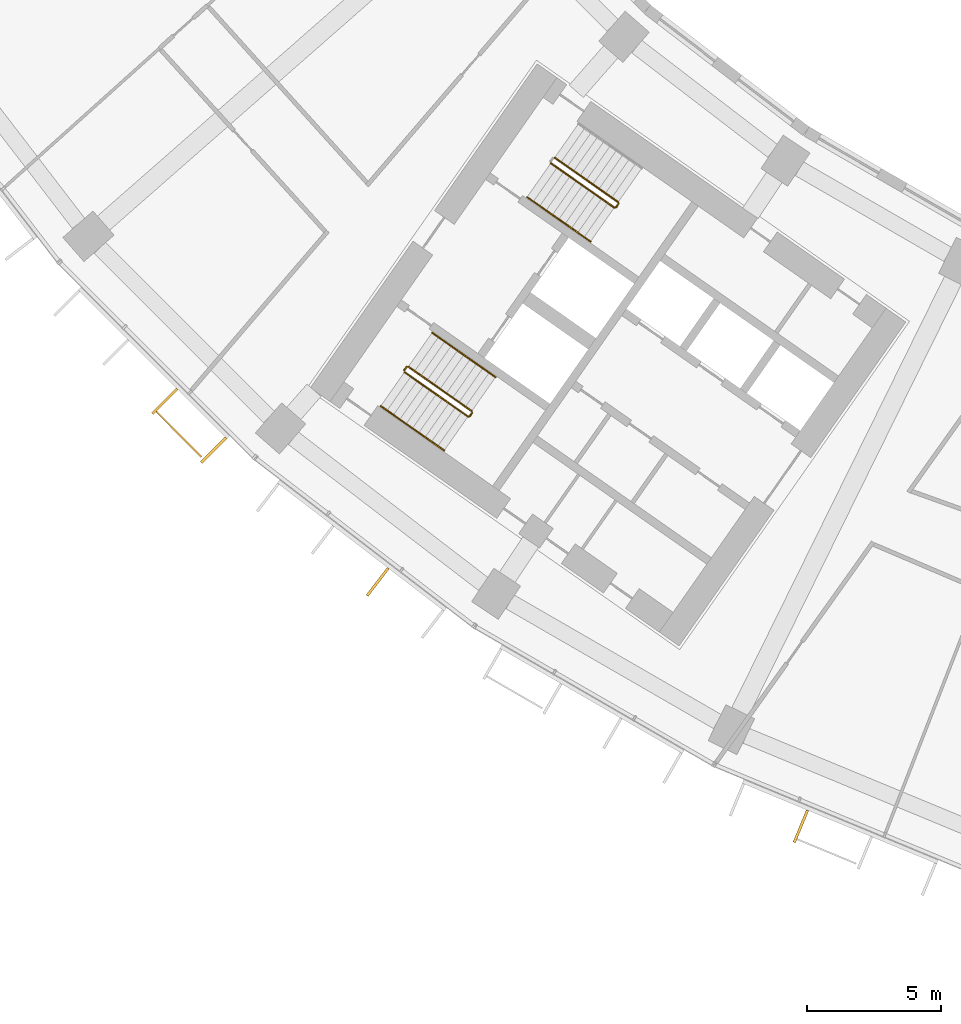
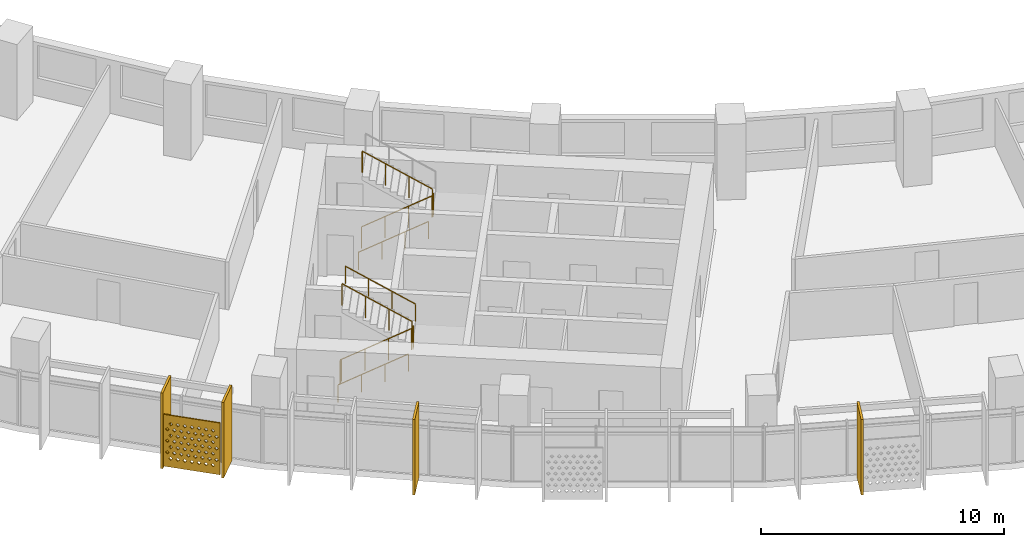
# One storey, part 23 of 28: 8 railings, 5 shading devices.
"""IFC4 building model written with IfcOpenShell, lengths in metres."""

from ifc_helpers import new_model, si_unit, direction, frame, origin, origin_2d, place, context, subcontext, project, spatial, polyline, rectangle, circle, outline, extrude, material, material_profile, profile_set, type_object, element, save


model = new_model("IFC4")

# Units and contexts
model_context = context("Model", 3, precision=1e-05, world=origin(), true_north=direction((0.0, 1.0)))
body_context = subcontext(model_context, "Body", "Model", "MODEL_VIEW")
ifc_project = project(units=[si_unit("LENGTHUNIT", "METRE"), si_unit("AREAUNIT", "SQUARE_METRE"), si_unit("VOLUMEUNIT", "CUBIC_METRE"), si_unit("PLANEANGLEUNIT", "RADIAN"), si_unit("MASSUNIT", "GRAM", prefix="KILO")], contexts=[model_context])

# Site, building, storey
site_placement = place(None, origin())
site = spatial("IfcSite", under=ifc_project, at=site_placement, CompositionType="ELEMENT")
building_placement = place(site_placement, origin())
building = spatial("IfcBuilding", under=site, at=building_placement, Name="Qamariyya Broadcast Tower", CompositionType="ELEMENT")
storey_placement = place(building_placement, frame((0.0, 0.0, 140.5)))
storey = spatial("IfcBuildingStorey", under=building, at=storey_placement, Name="L32", CompositionType="ELEMENT", Elevation=140.5)

# Shading device
ifc_material_1 = material(Name="Perforated glazed terracotta", Category="masonry")
ifc_material_profile_1 = material_profile(ifc_material_1, outline(polyline([(-1.199951171875, -1.300048828125), (1.199951171875, -1.300048828125), (1.199951171875, 1.300048828125), (-1.199951171875, 1.300048828125), (-1.199951171875, -1.300048828125)]), holes=[polyline([(-0.81494140625, -0.86669921875), (-0.89990234375, -0.78173828125), (-0.985107421875, -0.86669921875), (-0.89990234375, -0.95166015625), (-0.81494140625, -0.86669921875)]), polyline([(-0.514892578125, -0.86669921875), (-0.60009765625, -0.78173828125), (-0.68505859375, -0.86669921875), (-0.60009765625, -0.95166015625), (-0.514892578125, -0.86669921875)]), polyline([(-0.215087890625, -0.86669921875), (-0.300048828125, -0.78173828125), (-0.385009765625, -0.86669921875), (-0.300048828125, -0.95166015625), (-0.215087890625, -0.86669921875)]), polyline([(0.0849609375, -0.86669921875), (0.0, -0.78173828125), (-0.0849609375, -0.86669921875), (0.0, -0.95166015625), (0.0849609375, -0.86669921875)]), polyline([(0.385009765625, -0.86669921875), (0.300048828125, -0.78173828125), (0.215087890625, -0.86669921875), (0.300048828125, -0.95166015625), (0.385009765625, -0.86669921875)]), polyline([(0.68505859375, -0.86669921875), (0.60009765625, -0.78173828125), (0.514892578125, -0.86669921875), (0.60009765625, -0.95166015625), (0.68505859375, -0.86669921875)]), polyline([(0.985107421875, -0.86669921875), (0.89990234375, -0.78173828125), (0.81494140625, -0.86669921875), (0.89990234375, -0.95166015625), (0.985107421875, -0.86669921875)]), polyline([(-0.965087890625, -0.577880859375), (-1.050048828125, -0.49267578125), (-1.135009765625, -0.577880859375), (-1.050048828125, -0.662841796875), (-0.965087890625, -0.577880859375)]), polyline([(-0.6650390625, -0.577880859375), (-0.75, -0.49267578125), (-0.8349609375, -0.577880859375), (-0.75, -0.662841796875), (-0.6650390625, -0.577880859375)]), polyline([(-0.364990234375, -0.577880859375), (-0.449951171875, -0.49267578125), (-0.534912109375, -0.577880859375), (-0.449951171875, -0.662841796875), (-0.364990234375, -0.577880859375)]), polyline([(-0.06494140625, -0.577880859375), (-0.14990234375, -0.49267578125), (-0.235107421875, -0.577880859375), (-0.14990234375, -0.662841796875), (-0.06494140625, -0.577880859375)]), polyline([(0.235107421875, -0.577880859375), (0.14990234375, -0.49267578125), (0.06494140625, -0.577880859375), (0.14990234375, -0.662841796875), (0.235107421875, -0.577880859375)]), polyline([(0.534912109375, -0.577880859375), (0.449951171875, -0.49267578125), (0.364990234375, -0.577880859375), (0.449951171875, -0.662841796875), (0.534912109375, -0.577880859375)]), polyline([(0.8349609375, -0.577880859375), (0.75, -0.49267578125), (0.6650390625, -0.577880859375), (0.75, -0.662841796875), (0.8349609375, -0.577880859375)]), polyline([(1.135009765625, -0.577880859375), (1.050048828125, -0.49267578125), (0.965087890625, -0.577880859375), (1.050048828125, -0.662841796875), (1.135009765625, -0.577880859375)]), polyline([(-0.81494140625, -0.288818359375), (-0.89990234375, -0.203857421875), (-0.985107421875, -0.288818359375), (-0.89990234375, -0.373779296875), (-0.81494140625, -0.288818359375)]), polyline([(-0.514892578125, -0.288818359375), (-0.60009765625, -0.203857421875), (-0.68505859375, -0.288818359375), (-0.60009765625, -0.373779296875), (-0.514892578125, -0.288818359375)]), polyline([(-0.215087890625, -0.288818359375), (-0.300048828125, -0.203857421875), (-0.385009765625, -0.288818359375), (-0.300048828125, -0.373779296875), (-0.215087890625, -0.288818359375)]), polyline([(0.0849609375, -0.288818359375), (0.0, -0.203857421875), (-0.0849609375, -0.288818359375), (0.0, -0.373779296875), (0.0849609375, -0.288818359375)]), polyline([(0.385009765625, -0.288818359375), (0.300048828125, -0.203857421875), (0.215087890625, -0.288818359375), (0.300048828125, -0.373779296875), (0.385009765625, -0.288818359375)]), polyline([(0.68505859375, -0.288818359375), (0.60009765625, -0.203857421875), (0.514892578125, -0.288818359375), (0.60009765625, -0.373779296875), (0.68505859375, -0.288818359375)]), polyline([(0.985107421875, -0.288818359375), (0.89990234375, -0.203857421875), (0.81494140625, -0.288818359375), (0.89990234375, -0.373779296875), (0.985107421875, -0.288818359375)]), polyline([(-0.965087890625, 0.0), (-1.050048828125, 0.0849609375), (-1.135009765625, 0.0), (-1.050048828125, -0.0849609375), (-0.965087890625, 0.0)]), polyline([(-0.6650390625, 0.0), (-0.75, 0.0849609375), (-0.8349609375, 0.0), (-0.75, -0.0849609375), (-0.6650390625, 0.0)]), polyline([(-0.364990234375, 0.0), (-0.449951171875, 0.0849609375), (-0.534912109375, 0.0), (-0.449951171875, -0.0849609375), (-0.364990234375, 0.0)]), polyline([(-0.06494140625, 0.0), (-0.14990234375, 0.0849609375), (-0.235107421875, 0.0), (-0.14990234375, -0.0849609375), (-0.06494140625, 0.0)]), polyline([(0.235107421875, 0.0), (0.14990234375, 0.0849609375), (0.06494140625, 0.0), (0.14990234375, -0.0849609375), (0.235107421875, 0.0)]), polyline([(0.534912109375, 0.0), (0.449951171875, 0.0849609375), (0.364990234375, 0.0), (0.449951171875, -0.0849609375), (0.534912109375, 0.0)]), polyline([(0.8349609375, 0.0), (0.75, 0.0849609375), (0.6650390625, 0.0), (0.75, -0.0849609375), (0.8349609375, 0.0)]), polyline([(1.135009765625, 0.0), (1.050048828125, 0.0849609375), (0.965087890625, 0.0), (1.050048828125, -0.0849609375), (1.135009765625, 0.0)]), polyline([(-0.81494140625, 0.288818359375), (-0.89990234375, 0.373779296875), (-0.985107421875, 0.288818359375), (-0.89990234375, 0.203857421875), (-0.81494140625, 0.288818359375)]), polyline([(-0.514892578125, 0.288818359375), (-0.60009765625, 0.373779296875), (-0.68505859375, 0.288818359375), (-0.60009765625, 0.203857421875), (-0.514892578125, 0.288818359375)]), polyline([(-0.215087890625, 0.288818359375), (-0.300048828125, 0.373779296875), (-0.385009765625, 0.288818359375), (-0.300048828125, 0.203857421875), (-0.215087890625, 0.288818359375)]), polyline([(0.0849609375, 0.288818359375), (0.0, 0.373779296875), (-0.0849609375, 0.288818359375), (0.0, 0.203857421875), (0.0849609375, 0.288818359375)]), polyline([(0.385009765625, 0.288818359375), (0.300048828125, 0.373779296875), (0.215087890625, 0.288818359375), (0.300048828125, 0.203857421875), (0.385009765625, 0.288818359375)]), polyline([(0.68505859375, 0.288818359375), (0.60009765625, 0.373779296875), (0.514892578125, 0.288818359375), (0.60009765625, 0.203857421875), (0.68505859375, 0.288818359375)]), polyline([(0.985107421875, 0.288818359375), (0.89990234375, 0.373779296875), (0.81494140625, 0.288818359375), (0.89990234375, 0.203857421875), (0.985107421875, 0.288818359375)]), polyline([(-0.965087890625, 0.577880859375), (-1.050048828125, 0.662841796875), (-1.135009765625, 0.577880859375), (-1.050048828125, 0.49267578125), (-0.965087890625, 0.577880859375)]), polyline([(-0.6650390625, 0.577880859375), (-0.75, 0.662841796875), (-0.8349609375, 0.577880859375), (-0.75, 0.49267578125), (-0.6650390625, 0.577880859375)]), polyline([(-0.364990234375, 0.577880859375), (-0.449951171875, 0.662841796875), (-0.534912109375, 0.577880859375), (-0.449951171875, 0.49267578125), (-0.364990234375, 0.577880859375)]), polyline([(-0.06494140625, 0.577880859375), (-0.14990234375, 0.662841796875), (-0.235107421875, 0.577880859375), (-0.14990234375, 0.49267578125), (-0.06494140625, 0.577880859375)]), polyline([(0.235107421875, 0.577880859375), (0.14990234375, 0.662841796875), (0.06494140625, 0.577880859375), (0.14990234375, 0.49267578125), (0.235107421875, 0.577880859375)]), polyline([(0.534912109375, 0.577880859375), (0.449951171875, 0.662841796875), (0.364990234375, 0.577880859375), (0.449951171875, 0.49267578125), (0.534912109375, 0.577880859375)]), polyline([(0.8349609375, 0.577880859375), (0.75, 0.662841796875), (0.6650390625, 0.577880859375), (0.75, 0.49267578125), (0.8349609375, 0.577880859375)]), polyline([(1.135009765625, 0.577880859375), (1.050048828125, 0.662841796875), (0.965087890625, 0.577880859375), (1.050048828125, 0.49267578125), (1.135009765625, 0.577880859375)]), polyline([(-0.81494140625, 0.86669921875), (-0.89990234375, 0.95166015625), (-0.985107421875, 0.86669921875), (-0.89990234375, 0.78173828125), (-0.81494140625, 0.86669921875)]), polyline([(-0.514892578125, 0.86669921875), (-0.60009765625, 0.95166015625), (-0.68505859375, 0.86669921875), (-0.60009765625, 0.78173828125), (-0.514892578125, 0.86669921875)]), polyline([(-0.215087890625, 0.86669921875), (-0.300048828125, 0.95166015625), (-0.385009765625, 0.86669921875), (-0.300048828125, 0.78173828125), (-0.215087890625, 0.86669921875)]), polyline([(0.0849609375, 0.86669921875), (0.0, 0.95166015625), (-0.0849609375, 0.86669921875), (0.0, 0.78173828125), (0.0849609375, 0.86669921875)]), polyline([(0.385009765625, 0.86669921875), (0.300048828125, 0.95166015625), (0.215087890625, 0.86669921875), (0.300048828125, 0.78173828125), (0.385009765625, 0.86669921875)]), polyline([(0.68505859375, 0.86669921875), (0.60009765625, 0.95166015625), (0.514892578125, 0.86669921875), (0.60009765625, 0.78173828125), (0.68505859375, 0.86669921875)]), polyline([(0.985107421875, 0.86669921875), (0.89990234375, 0.95166015625), (0.81494140625, 0.86669921875), (0.89990234375, 0.78173828125), (0.985107421875, 0.86669921875)])]))
ifc_profile_set_1 = profile_set([ifc_material_profile_1], Name="Perforated glazed terracotta")
shading_device_type_1 = type_object("IfcShadingDeviceType", Name="Perforated terracotta screen 2400 x 2600", PredefinedType="USERDEFINED", material=ifc_profile_set_1)
shading_device_placement = place(storey_placement, frame((-55.05078125, -58.65234375, 1.35009765625), z_axis=(-0.709141608176, -0.705066081692, 0.0), x_axis=(0.705066081692, -0.709141608176, 0.0)))
element("IfcShadingDevice", 1, at=shading_device_placement, inside=storey, type_object=shading_device_type_1, Name="e-scr-L32-03-2", ObjectType="SCREEN", PredefinedType="USERDEFINED", context=body_context, shape_type="SweptSolid", body=[
    extrude(outline(polyline([(-1.199951171875, -1.300048828125), (1.199951171875, -1.300048828125), (1.199951171875, 1.300048828125), (-1.199951171875, 1.300048828125), (-1.199951171875, -1.300048828125)]), holes=[polyline([(-0.81494140625, -0.86669921875), (-0.89990234375, -0.78173828125), (-0.985107421875, -0.86669921875), (-0.89990234375, -0.95166015625), (-0.81494140625, -0.86669921875)]), polyline([(-0.514892578125, -0.86669921875), (-0.60009765625, -0.78173828125), (-0.68505859375, -0.86669921875), (-0.60009765625, -0.95166015625), (-0.514892578125, -0.86669921875)]), polyline([(-0.215087890625, -0.86669921875), (-0.300048828125, -0.78173828125), (-0.385009765625, -0.86669921875), (-0.300048828125, -0.95166015625), (-0.215087890625, -0.86669921875)]), polyline([(0.0849609375, -0.86669921875), (0.0, -0.78173828125), (-0.0849609375, -0.86669921875), (0.0, -0.95166015625), (0.0849609375, -0.86669921875)]), polyline([(0.385009765625, -0.86669921875), (0.300048828125, -0.78173828125), (0.215087890625, -0.86669921875), (0.300048828125, -0.95166015625), (0.385009765625, -0.86669921875)]), polyline([(0.68505859375, -0.86669921875), (0.60009765625, -0.78173828125), (0.514892578125, -0.86669921875), (0.60009765625, -0.95166015625), (0.68505859375, -0.86669921875)]), polyline([(0.985107421875, -0.86669921875), (0.89990234375, -0.78173828125), (0.81494140625, -0.86669921875), (0.89990234375, -0.95166015625), (0.985107421875, -0.86669921875)]), polyline([(-0.965087890625, -0.577880859375), (-1.050048828125, -0.49267578125), (-1.135009765625, -0.577880859375), (-1.050048828125, -0.662841796875), (-0.965087890625, -0.577880859375)]), polyline([(-0.6650390625, -0.577880859375), (-0.75, -0.49267578125), (-0.8349609375, -0.577880859375), (-0.75, -0.662841796875), (-0.6650390625, -0.577880859375)]), polyline([(-0.364990234375, -0.577880859375), (-0.449951171875, -0.49267578125), (-0.534912109375, -0.577880859375), (-0.449951171875, -0.662841796875), (-0.364990234375, -0.577880859375)]), polyline([(-0.06494140625, -0.577880859375), (-0.14990234375, -0.49267578125), (-0.235107421875, -0.577880859375), (-0.14990234375, -0.662841796875), (-0.06494140625, -0.577880859375)]), polyline([(0.235107421875, -0.577880859375), (0.14990234375, -0.49267578125), (0.06494140625, -0.577880859375), (0.14990234375, -0.662841796875), (0.235107421875, -0.577880859375)]), polyline([(0.534912109375, -0.577880859375), (0.449951171875, -0.49267578125), (0.364990234375, -0.577880859375), (0.449951171875, -0.662841796875), (0.534912109375, -0.577880859375)]), polyline([(0.8349609375, -0.577880859375), (0.75, -0.49267578125), (0.6650390625, -0.577880859375), (0.75, -0.662841796875), (0.8349609375, -0.577880859375)]), polyline([(1.135009765625, -0.577880859375), (1.050048828125, -0.49267578125), (0.965087890625, -0.577880859375), (1.050048828125, -0.662841796875), (1.135009765625, -0.577880859375)]), polyline([(-0.81494140625, -0.288818359375), (-0.89990234375, -0.203857421875), (-0.985107421875, -0.288818359375), (-0.89990234375, -0.373779296875), (-0.81494140625, -0.288818359375)]), polyline([(-0.514892578125, -0.288818359375), (-0.60009765625, -0.203857421875), (-0.68505859375, -0.288818359375), (-0.60009765625, -0.373779296875), (-0.514892578125, -0.288818359375)]), polyline([(-0.215087890625, -0.288818359375), (-0.300048828125, -0.203857421875), (-0.385009765625, -0.288818359375), (-0.300048828125, -0.373779296875), (-0.215087890625, -0.288818359375)]), polyline([(0.0849609375, -0.288818359375), (0.0, -0.203857421875), (-0.0849609375, -0.288818359375), (0.0, -0.373779296875), (0.0849609375, -0.288818359375)]), polyline([(0.385009765625, -0.288818359375), (0.300048828125, -0.203857421875), (0.215087890625, -0.288818359375), (0.300048828125, -0.373779296875), (0.385009765625, -0.288818359375)]), polyline([(0.68505859375, -0.288818359375), (0.60009765625, -0.203857421875), (0.514892578125, -0.288818359375), (0.60009765625, -0.373779296875), (0.68505859375, -0.288818359375)]), polyline([(0.985107421875, -0.288818359375), (0.89990234375, -0.203857421875), (0.81494140625, -0.288818359375), (0.89990234375, -0.373779296875), (0.985107421875, -0.288818359375)]), polyline([(-0.965087890625, 0.0), (-1.050048828125, 0.0849609375), (-1.135009765625, 0.0), (-1.050048828125, -0.0849609375), (-0.965087890625, 0.0)]), polyline([(-0.6650390625, 0.0), (-0.75, 0.0849609375), (-0.8349609375, 0.0), (-0.75, -0.0849609375), (-0.6650390625, 0.0)]), polyline([(-0.364990234375, 0.0), (-0.449951171875, 0.0849609375), (-0.534912109375, 0.0), (-0.449951171875, -0.0849609375), (-0.364990234375, 0.0)]), polyline([(-0.06494140625, 0.0), (-0.14990234375, 0.0849609375), (-0.235107421875, 0.0), (-0.14990234375, -0.0849609375), (-0.06494140625, 0.0)]), polyline([(0.235107421875, 0.0), (0.14990234375, 0.0849609375), (0.06494140625, 0.0), (0.14990234375, -0.0849609375), (0.235107421875, 0.0)]), polyline([(0.534912109375, 0.0), (0.449951171875, 0.0849609375), (0.364990234375, 0.0), (0.449951171875, -0.0849609375), (0.534912109375, 0.0)]), polyline([(0.8349609375, 0.0), (0.75, 0.0849609375), (0.6650390625, 0.0), (0.75, -0.0849609375), (0.8349609375, 0.0)]), polyline([(1.135009765625, 0.0), (1.050048828125, 0.0849609375), (0.965087890625, 0.0), (1.050048828125, -0.0849609375), (1.135009765625, 0.0)]), polyline([(-0.81494140625, 0.288818359375), (-0.89990234375, 0.373779296875), (-0.985107421875, 0.288818359375), (-0.89990234375, 0.203857421875), (-0.81494140625, 0.288818359375)]), polyline([(-0.514892578125, 0.288818359375), (-0.60009765625, 0.373779296875), (-0.68505859375, 0.288818359375), (-0.60009765625, 0.203857421875), (-0.514892578125, 0.288818359375)]), polyline([(-0.215087890625, 0.288818359375), (-0.300048828125, 0.373779296875), (-0.385009765625, 0.288818359375), (-0.300048828125, 0.203857421875), (-0.215087890625, 0.288818359375)]), polyline([(0.0849609375, 0.288818359375), (0.0, 0.373779296875), (-0.0849609375, 0.288818359375), (0.0, 0.203857421875), (0.0849609375, 0.288818359375)]), polyline([(0.385009765625, 0.288818359375), (0.300048828125, 0.373779296875), (0.215087890625, 0.288818359375), (0.300048828125, 0.203857421875), (0.385009765625, 0.288818359375)]), polyline([(0.68505859375, 0.288818359375), (0.60009765625, 0.373779296875), (0.514892578125, 0.288818359375), (0.60009765625, 0.203857421875), (0.68505859375, 0.288818359375)]), polyline([(0.985107421875, 0.288818359375), (0.89990234375, 0.373779296875), (0.81494140625, 0.288818359375), (0.89990234375, 0.203857421875), (0.985107421875, 0.288818359375)]), polyline([(-0.965087890625, 0.577880859375), (-1.050048828125, 0.662841796875), (-1.135009765625, 0.577880859375), (-1.050048828125, 0.49267578125), (-0.965087890625, 0.577880859375)]), polyline([(-0.6650390625, 0.577880859375), (-0.75, 0.662841796875), (-0.8349609375, 0.577880859375), (-0.75, 0.49267578125), (-0.6650390625, 0.577880859375)]), polyline([(-0.364990234375, 0.577880859375), (-0.449951171875, 0.662841796875), (-0.534912109375, 0.577880859375), (-0.449951171875, 0.49267578125), (-0.364990234375, 0.577880859375)]), polyline([(-0.06494140625, 0.577880859375), (-0.14990234375, 0.662841796875), (-0.235107421875, 0.577880859375), (-0.14990234375, 0.49267578125), (-0.06494140625, 0.577880859375)]), polyline([(0.235107421875, 0.577880859375), (0.14990234375, 0.662841796875), (0.06494140625, 0.577880859375), (0.14990234375, 0.49267578125), (0.235107421875, 0.577880859375)]), polyline([(0.534912109375, 0.577880859375), (0.449951171875, 0.662841796875), (0.364990234375, 0.577880859375), (0.449951171875, 0.49267578125), (0.534912109375, 0.577880859375)]), polyline([(0.8349609375, 0.577880859375), (0.75, 0.662841796875), (0.6650390625, 0.577880859375), (0.75, 0.49267578125), (0.8349609375, 0.577880859375)]), polyline([(1.135009765625, 0.577880859375), (1.050048828125, 0.662841796875), (0.965087890625, 0.577880859375), (1.050048828125, 0.49267578125), (1.135009765625, 0.577880859375)]), polyline([(-0.81494140625, 0.86669921875), (-0.89990234375, 0.95166015625), (-0.985107421875, 0.86669921875), (-0.89990234375, 0.78173828125), (-0.81494140625, 0.86669921875)]), polyline([(-0.514892578125, 0.86669921875), (-0.60009765625, 0.95166015625), (-0.68505859375, 0.86669921875), (-0.60009765625, 0.78173828125), (-0.514892578125, 0.86669921875)]), polyline([(-0.215087890625, 0.86669921875), (-0.300048828125, 0.95166015625), (-0.385009765625, 0.86669921875), (-0.300048828125, 0.78173828125), (-0.215087890625, 0.86669921875)]), polyline([(0.0849609375, 0.86669921875), (0.0, 0.95166015625), (-0.0849609375, 0.86669921875), (0.0, 0.78173828125), (0.0849609375, 0.86669921875)]), polyline([(0.385009765625, 0.86669921875), (0.300048828125, 0.95166015625), (0.215087890625, 0.86669921875), (0.300048828125, 0.78173828125), (0.385009765625, 0.86669921875)]), polyline([(0.68505859375, 0.86669921875), (0.60009765625, 0.95166015625), (0.514892578125, 0.86669921875), (0.60009765625, 0.78173828125), (0.68505859375, 0.86669921875)]), polyline([(0.985107421875, 0.86669921875), (0.89990234375, 0.95166015625), (0.81494140625, 0.86669921875), (0.89990234375, 0.78173828125), (0.985107421875, 0.86669921875)])]), origin(), (0.0, 0.0, 1.0), 0.059814453125),
])

# Railings
ifc_material_2 = material(Name="Painted steel", Category="steel")
railing_type_1 = type_object("IfcRailingType", Name="Stair guard", PredefinedType="GUARDRAIL", material=ifc_material_2)
railing_1_placement = place(storey_placement, frame((-41.146728515625, -48.52490234375, 0.172607421875)))
element("IfcRailing", 2, at=railing_1_placement, inside=storey, type_object=railing_type_1, Name="L32 ST-W2 stair guard 1", PredefinedType="GUARDRAIL", context=body_context, shape_type="SweptSolid", body=[
    extrude(circle(Radius=0.02392578125, at=origin_2d()), frame((0.0, 0.0, 1.076171875), z_axis=(0.703770094002, -0.492783725636, 0.511734163933), x_axis=(0.573575343427, 0.819152809562, 0.0)), (0.0, 0.0, 1.0), 3.37548828125),
    extrude(circle(Radius=0.02392578125, at=origin_2d()), frame((2.37548828125, -1.663330078125, 2.80322265625), z_axis=(0.985059694769, 0.172213233351, 0.0), x_axis=(-0.172213233351, 0.985059694769, 0.0)), (0.0, 0.0, 1.0), 0.07080078125),
    extrude(circle(Radius=0.02392578125, at=origin_2d()), frame((2.4453125, -1.651123046875, 2.80322265625), z_axis=(0.572588637393, 0.819842821722, 0.0), x_axis=(-0.819842821722, 0.572588637393, 0.0)), (0.0, 0.0, 1.0), 0.150146484375),
    extrude(circle(Radius=0.02099609375, at=origin_2d()), origin(), (0.0, 0.0, 1.0), 1.052001953125),
    extrude(circle(Radius=0.02099609375, at=origin_2d()), frame((0.791748046875, -0.554443359375, 0.57568359375)), (0.0, 0.0, 1.0), 1.052001953125),
    extrude(circle(Radius=0.02099609375, at=origin_2d()), frame((1.583740234375, -1.10888671875, 1.151611328125)), (0.0, 0.0, 1.0), 1.052001953125),
    extrude(circle(Radius=0.02099609375, at=origin_2d()), frame((2.37548828125, -1.663330078125, 1.727294921875)), (0.0, 0.0, 1.0), 1.052001953125),
    extrude(circle(Radius=0.02099609375, at=origin_2d()), frame((2.4453125, -1.651123046875, 1.727294921875)), (0.0, 0.0, 1.0), 1.052001953125),
    extrude(circle(Radius=0.02099609375, at=origin_2d()), frame((2.53125, -1.528076171875, 1.727294921875)), (0.0, 0.0, 1.0), 1.052001953125),
])
railing_2_placement = place(storey_placement, frame((-38.627685546875, -49.9833984375, 2.07275390625)))
element("IfcRailing", 3, at=railing_2_placement, inside=storey, type_object=railing_type_1, Name="L32 ST-W2 stair guard 2", PredefinedType="GUARDRAIL", context=body_context, shape_type="SweptSolid", body=[
    extrude(circle(Radius=0.02392578125, at=origin_2d()), frame((0.0, 0.0, 1.076171875), z_axis=(-0.703770094002, 0.492783725636, 0.511734163933), x_axis=(-0.573575343427, -0.819152809562, 0.0)), (0.0, 0.0, 1.0), 3.37548828125),
    extrude(circle(Radius=0.02099609375, at=origin_2d()), origin(), (0.0, 0.0, 1.0), 1.052001953125),
    extrude(circle(Radius=0.02099609375, at=origin_2d()), frame((-0.791748046875, 0.554443359375, 0.57568359375)), (0.0, 0.0, 1.0), 1.052001953125),
    extrude(circle(Radius=0.02099609375, at=origin_2d()), frame((-1.583740234375, 1.10888671875, 1.151611328125)), (0.0, 0.0, 1.0), 1.052001953125),
    extrude(circle(Radius=0.02099609375, at=origin_2d()), frame((-2.37548828125, 1.663330078125, 1.727294921875)), (0.0, 0.0, 1.0), 1.052001953125),
])
railing_3_placement = place(storey_placement, frame((-46.624267578125, -56.34765625, 0.172607421875)))
element("IfcRailing", 4, at=railing_3_placement, inside=storey, type_object=railing_type_1, Name="L32 ST-W1 stair guard 1", PredefinedType="GUARDRAIL", context=body_context, shape_type="SweptSolid", body=[
    extrude(circle(Radius=0.02392578125, at=origin_2d()), frame((0.0, 0.0, 1.076171875), z_axis=(0.703745009021, -0.492838488332, 0.511715923826), x_axis=(0.573631830683, 0.819113253969, 0.0)), (0.0, 0.0, 1.0), 3.37548828125),
    extrude(circle(Radius=0.02392578125, at=origin_2d()), frame((2.37548828125, -1.66357421875, 2.80322265625), z_axis=(0.984363469884, 0.176149252506, 0.0), x_axis=(-0.176149252506, 0.984363469884, 0.0)), (0.0, 0.0, 1.0), 0.07080078125),
    extrude(circle(Radius=0.02392578125, at=origin_2d()), frame((2.445068359375, -1.651123046875, 2.80322265625), z_axis=(0.574444878118, 0.818543268254, 0.0), x_axis=(-0.818543268254, 0.574444878118, 0.0)), (0.0, 0.0, 1.0), 0.150146484375),
    extrude(circle(Radius=0.02099609375, at=origin_2d()), origin(), (0.0, 0.0, 1.0), 1.052001953125),
    extrude(circle(Radius=0.02099609375, at=origin_2d()), frame((0.791748046875, -0.554443359375, 0.57568359375)), (0.0, 0.0, 1.0), 1.052001953125),
    extrude(circle(Radius=0.02099609375, at=origin_2d()), frame((1.583740234375, -1.109130859375, 1.151611328125)), (0.0, 0.0, 1.0), 1.052001953125),
    extrude(circle(Radius=0.02099609375, at=origin_2d()), frame((2.37548828125, -1.66357421875, 1.727294921875)), (0.0, 0.0, 1.0), 1.052001953125),
    extrude(circle(Radius=0.02099609375, at=origin_2d()), frame((2.445068359375, -1.651123046875, 1.727294921875)), (0.0, 0.0, 1.0), 1.052001953125),
    extrude(circle(Radius=0.02099609375, at=origin_2d()), frame((2.53125, -1.5283203125, 1.727294921875)), (0.0, 0.0, 1.0), 1.052001953125),
])
railing_4_placement = place(storey_placement, frame((-44.10546875, -57.806396484375, 2.07275390625)))
element("IfcRailing", 5, at=railing_4_placement, inside=storey, type_object=railing_type_1, Name="L32 ST-W1 stair guard 2", PredefinedType="GUARDRAIL", context=body_context, shape_type="SweptSolid", body=[
    extrude(circle(Radius=0.02392578125, at=origin_2d()), frame((0.0, 0.0, 1.076171875), z_axis=(-0.703770094002, 0.492783725636, 0.511734163933), x_axis=(-0.573575343427, -0.819152809562, 0.0)), (0.0, 0.0, 1.0), 3.37548828125),
    extrude(circle(Radius=0.02099609375, at=origin_2d()), origin(), (0.0, 0.0, 1.0), 1.052001953125),
    extrude(circle(Radius=0.02099609375, at=origin_2d()), frame((-0.791748046875, 0.554443359375, 0.57568359375)), (0.0, 0.0, 1.0), 1.052001953125),
    extrude(circle(Radius=0.02099609375, at=origin_2d()), frame((-1.583740234375, 1.10888671875, 1.151611328125)), (0.0, 0.0, 1.0), 1.052001953125),
    extrude(circle(Radius=0.02099609375, at=origin_2d()), frame((-2.37548828125, 1.663330078125, 1.727294921875)), (0.0, 0.0, 1.0), 1.052001953125),
])
railing_5_placement = place(storey_placement, frame((-46.63671875, -56.278076171875, 0.0)))
element("IfcRailing", 6, at=railing_5_placement, inside=storey, type_object=railing_type_1, Name="L32 ST-W1 stair guard 3", PredefinedType="GUARDRAIL", context=body_context, shape_type="SweptSolid", body=[
    extrude(circle(Radius=0.02392578125, at=origin_2d()), frame((0.0, 0.0, 1.076171875), z_axis=(0.574444878118, 0.818543268254, 0.0), x_axis=(-0.818543268254, 0.574444878118, 0.0)), (0.0, 0.0, 1.0), 0.150146484375),
    extrude(circle(Radius=0.02099609375, at=origin_2d()), origin(), (0.0, 0.0, 1.0), 1.052001953125),
    extrude(circle(Radius=0.02099609375, at=origin_2d()), frame((0.086181640625, 0.122802734375, 0.0)), (0.0, 0.0, 1.0), 1.052001953125),
])
ifc_material_3 = material(Name="Stainless steel", Category="steel")
railing_type_2 = type_object("IfcRailingType", Name="Stair handrail", PredefinedType="HANDRAIL", material=ifc_material_3)
railing_6_placement = place(storey_placement, frame((-42.03564453125, -49.79443359375, 0.172607421875)))
element("IfcRailing", 7, at=railing_6_placement, inside=storey, type_object=railing_type_2, Name="L32 ST-W2 stair handrail 1", PredefinedType="HANDRAIL", context=body_context, shape_type="SweptSolid", body=[
    extrude(circle(Radius=0.02392578125, at=origin_2d()), frame((0.0, 0.0, 0.8759765625), z_axis=(0.703745009021, -0.492838488332, 0.511715923826), x_axis=(0.573631830683, 0.819113253969, 0.0)), (0.0, 0.0, 1.0), 3.37548828125),
    extrude(circle(Radius=0.02099609375, at=origin_2d()), origin(), (0.0, 0.0, 1.0), 0.851806640625),
    extrude(circle(Radius=0.02099609375, at=origin_2d()), frame((0.791748046875, -0.554443359375, 0.57568359375)), (0.0, 0.0, 1.0), 0.851806640625),
    extrude(circle(Radius=0.02099609375, at=origin_2d()), frame((1.583740234375, -1.109130859375, 1.151611328125)), (0.0, 0.0, 1.0), 0.851806640625),
    extrude(circle(Radius=0.02099609375, at=origin_2d()), frame((2.37548828125, -1.66357421875, 1.727294921875)), (0.0, 0.0, 1.0), 0.851806640625),
])
railing_7_placement = place(storey_placement, frame((-47.513427734375, -57.617431640625, 0.172607421875)))
element("IfcRailing", 8, at=railing_7_placement, inside=storey, type_object=railing_type_2, Name="L32 ST-W1 stair handrail 1", PredefinedType="HANDRAIL", context=body_context, shape_type="SweptSolid", body=[
    extrude(circle(Radius=0.02392578125, at=origin_2d()), frame((0.0, 0.0, 0.8759765625), z_axis=(0.703770094002, -0.492783725636, 0.511734163933), x_axis=(0.573575343427, 0.819152809562, 0.0)), (0.0, 0.0, 1.0), 3.37548828125),
    extrude(circle(Radius=0.02099609375, at=origin_2d()), origin(), (0.0, 0.0, 1.0), 0.851806640625),
    extrude(circle(Radius=0.02099609375, at=origin_2d()), frame((0.791748046875, -0.554443359375, 0.57568359375)), (0.0, 0.0, 1.0), 0.851806640625),
    extrude(circle(Radius=0.02099609375, at=origin_2d()), frame((1.583740234375, -1.10888671875, 1.151611328125)), (0.0, 0.0, 1.0), 0.851806640625),
    extrude(circle(Radius=0.02099609375, at=origin_2d()), frame((2.37548828125, -1.663330078125, 1.727294921875)), (0.0, 0.0, 1.0), 0.851806640625),
])
railing_8_placement = place(storey_placement, frame((-43.21630859375, -56.53662109375, 2.07275390625)))
element("IfcRailing", 9, at=railing_8_placement, inside=storey, type_object=railing_type_2, Name="L32 ST-W1 stair handrail 2", PredefinedType="HANDRAIL", context=body_context, shape_type="SweptSolid", body=[
    extrude(circle(Radius=0.02392578125, at=origin_2d()), frame((0.0, 0.0, 0.8759765625), z_axis=(-0.703770094002, 0.492783725636, 0.511734163933), x_axis=(-0.573575343427, -0.819152809562, 0.0)), (0.0, 0.0, 1.0), 3.37548828125),
    extrude(circle(Radius=0.02099609375, at=origin_2d()), origin(), (0.0, 0.0, 1.0), 0.851806640625),
    extrude(circle(Radius=0.02099609375, at=origin_2d()), frame((-0.791748046875, 0.554443359375, 0.57568359375)), (0.0, 0.0, 1.0), 0.851806640625),
    extrude(circle(Radius=0.02099609375, at=origin_2d()), frame((-1.583740234375, 1.10888671875, 1.151611328125)), (0.0, 0.0, 1.0), 0.851806640625),
    extrude(circle(Radius=0.02099609375, at=origin_2d()), frame((-2.37548828125, 1.663330078125, 1.727294921875)), (0.0, 0.0, 1.0), 0.851806640625),
])

# Shading devices
ifc_material_4 = material(Name="Glazed terracotta", Category="masonry")
ifc_material_profile_2 = material_profile(ifc_material_4, rectangle(XDim=1.300048828125, YDim=0.10009765625, at=origin_2d()))
ifc_profile_set_2 = profile_set([ifc_material_profile_2], Name="Glazed terracotta")
shading_device_type_2 = type_object("IfcShadingDeviceType", Name="Terracotta fin 100 x 1300", PredefinedType="USERDEFINED", material=ifc_profile_set_2)
for number, where, z_axis, x_axis, name in (
    (10, (-55.602294921875, -57.43603515625, 0.0), (0.0, 0.0, 1.0), (-0.707106781187, -0.707106781187, 0.0), "e-fin-L32-03-2"),
    (11, (-53.7685546875, -59.269775390625, 0.0), (0.0, 0.0, 1.0), (-0.707106781187, -0.707106781187, 0.0), "e-fin-L32-03-3"),
    (12, (-47.629638671875, -64.2021484375, 0.0), (0.0, 0.0, 1.0), (-0.608761429009, -0.793353340291, 0.0), "e-fin-L32-04-2"),
    (13, (-31.785888671875, -73.349609375, 0.0), (0.0, 0.0, 1.0), (-0.382683432365, -0.923879532511, 0.0), "e-fin-L32-06-1"),
):
    element("IfcShadingDevice", number, at=place(storey_placement, frame(where, z_axis=z_axis, x_axis=x_axis)), inside=storey, type_object=shading_device_type_2, Name=name, ObjectType="FIN", PredefinedType="USERDEFINED", context=body_context, shape_type="SweptSolid", body=[
        extrude(rectangle(XDim=1.300048828125, YDim=0.10009765625, at=origin_2d()), origin(), (0.0, 0.0, 1.0), 3.800048828125),
    ])

save(model, "model.ifc")
